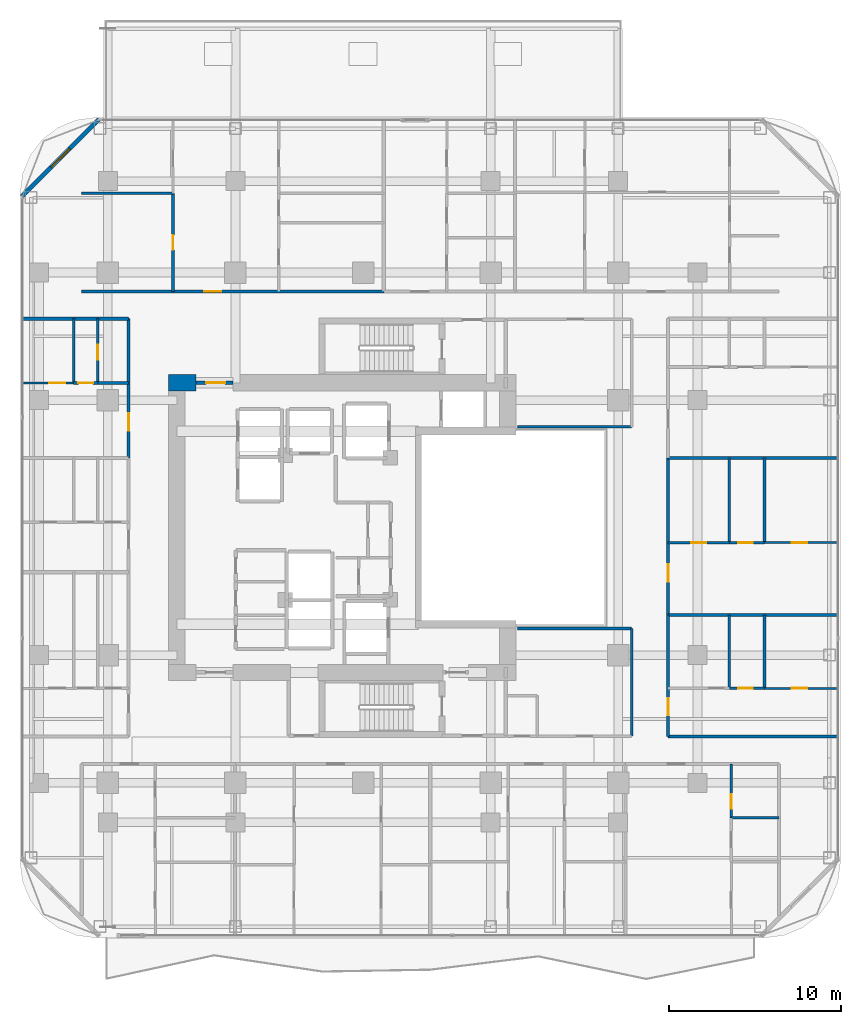
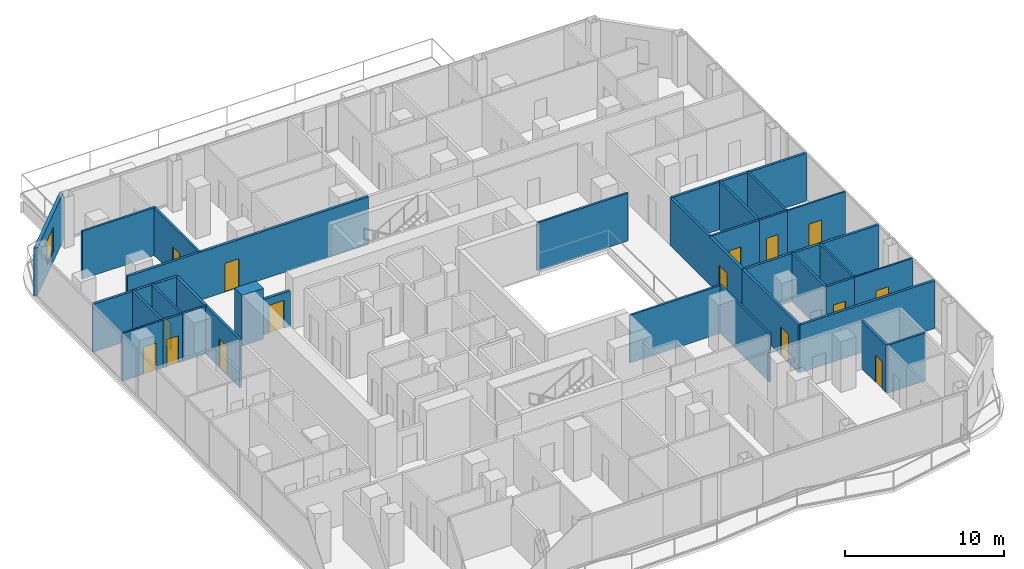
# One storey, part 24 of 29: 32 walls, 15 doors, 1 window, 16 openings.
"""IFC4 building model written with IfcOpenShell, lengths in metres."""

import ifcopenshell
import ifcopenshell.guid

model = None  # the IFC model being written
_history = None  # IfcOwnerHistory: only IFC2X3 demands one
_inside = {}  # id of a spatial element -> (the spatial element, [elements in it])
_under = {}  # id of a project, library or spatial element -> (it, [spatial elements below it])
_declared = {}  # id of a project -> (the project, [libraries it declares])
_typed = {}  # id of a type object -> (the type object, [elements of that type])
_made_of = {}  # id of a material, layer set ... -> (it, [elements and type objects made of it])


def new_model(schema):
    """Start an empty IFC model of exactly this schema.

    Asked for "IFC4X3", IfcOpenShell would pick the latest addendum, in which some entities
    have other attributes; the version numbers below select the first issue.
    IFC2X3 requires an IfcOwnerHistory on every rooted entity: one is made here for all.
    """
    global model, _history
    if schema == "IFC4X3":
        model = ifcopenshell.file(schema_version=(4, 3, 0, 0))
    else:
        model = ifcopenshell.file(schema=schema)
    _inside.clear()
    _under.clear()
    _declared.clear()
    _typed.clear()
    _made_of.clear()
    _history = None
    if model.schema == "IFC2X3":
        org = make("IfcOrganization", Name="unknown")
        user = make(
            "IfcPersonAndOrganization",
            ThePerson=make("IfcPerson", FamilyName="unknown"),
            TheOrganization=org,
        )
        app = make(
            "IfcApplication",
            ApplicationDeveloper=org,
            Version="unknown",
            ApplicationFullName="unknown",
            ApplicationIdentifier="unknown",
        )
        _history = make(
            "IfcOwnerHistory",
            OwningUser=user,
            OwningApplication=app,
            ChangeAction="ADDED",
            CreationDate=0,
        )
    return model


def make(cls, **values):
    """One entity of the class cls with the attributes given. An attribute that is None is left unset."""
    return model.create_entity(
        cls, **{name: value for name, value in values.items() if value is not None}
    )


def rooted(cls, **values):
    """An entity with a GlobalId (a new one), such as an element, a storey or a relation."""
    return make(cls, GlobalId=ifcopenshell.guid.new(), OwnerHistory=_history, **values)


def si_unit(unit_type, name, prefix=None):
    """IfcSIUnit, for example si_unit("LENGTHUNIT", "METRE", prefix="MILLI")."""
    return make("IfcSIUnit", UnitType=unit_type, Prefix=prefix, Name=name)


def assignment(units):
    """IfcUnitAssignment: the units of a project."""
    return None if units is None else make("IfcUnitAssignment", Units=units)


def point(xyz):
    """IfcCartesianPoint."""
    return None if xyz is None else make("IfcCartesianPoint", Coordinates=xyz)


def direction(xyz):
    """IfcDirection."""
    return None if xyz is None else make("IfcDirection", DirectionRatios=xyz)


def frame(location, z_axis=None, x_axis=None):
    """IfcAxis2Placement3D, a coordinate frame: its origin and axes. An axis left out is left unset."""
    return make(
        "IfcAxis2Placement3D",
        Location=point(location),
        Axis=direction(z_axis),
        RefDirection=direction(x_axis),
    )


def frame_2d(location, x_axis=None):
    """IfcAxis2Placement2D, a coordinate frame in the plane: its origin and x axis."""
    return make(
        "IfcAxis2Placement2D", Location=point(location), RefDirection=direction(x_axis)
    )


def origin():
    """The frame at (0, 0, 0) with its axes left unset."""
    return frame((0.0, 0.0, 0.0))


def place(relative_to, where):
    """IfcLocalPlacement: puts the frame where relative to a parent placement (None: the world)."""
    return make(
        "IfcLocalPlacement", PlacementRelTo=relative_to, RelativePlacement=where
    )


def context(
    kind, dimensions, precision=None, world=None, true_north=None, identifier=None
):
    """IfcGeometricRepresentationContext, for example the 3D "Model" context."""
    return make(
        "IfcGeometricRepresentationContext",
        ContextIdentifier=identifier,
        ContextType=kind,
        CoordinateSpaceDimension=dimensions,
        Precision=precision,
        WorldCoordinateSystem=world,
        TrueNorth=true_north,
    )


def subcontext(parent, identifier, kind, view, scale=None):
    """IfcGeometricRepresentationSubContext, for example "Body" below "Model"."""
    return make(
        "IfcGeometricRepresentationSubContext",
        ContextIdentifier=identifier,
        ContextType=kind,
        ParentContext=parent,
        TargetScale=scale,
        TargetView=view,
    )


def project(units=None, contexts=None):
    """IfcProject with its units and contexts."""
    return rooted(
        "IfcProject",
        Name="project",
        RepresentationContexts=contexts,
        UnitsInContext=assignment(units),
    )


def spatial(cls, under=None, at=None, **own):
    """A site, building, storey or space (cls), placed at a placement, below another one or the project."""
    s = rooted(cls, ObjectPlacement=at, **own)
    if under is not None:
        _under.setdefault(under.id(), (under, []))[1].append(s)
    return s


def profile(cls, at=None, kind="AREA", **sizes):
    """A parametric profile (cls). Its sizes go by their IFC names, for example OverallWidth=200.0."""
    return make(cls, ProfileType=kind, Position=at, **sizes)


def rectangle(**sizes):
    """IfcRectangleProfileDef."""
    return profile("IfcRectangleProfileDef", **sizes)


def extrude(swept, where, along, depth):
    """IfcExtrudedAreaSolid: the profile swept, set in the frame where, extruded along a direction by depth."""
    return make(
        "IfcExtrudedAreaSolid",
        SweptArea=swept,
        Position=where,
        ExtrudedDirection=direction(along),
        Depth=depth,
    )


def shape(context_of_items, identifier, shape_type, items):
    """IfcShapeRepresentation: the items that make up one representation, for example the "Body"."""
    return make(
        "IfcShapeRepresentation",
        ContextOfItems=context_of_items,
        RepresentationIdentifier=identifier,
        RepresentationType=shape_type,
        Items=items,
    )


def material(Name=None, Category=None):
    """IfcMaterial."""
    return make("IfcMaterial", Name=Name, Category=Category)


def layer(
    of_material, thickness, ventilated=None, Name=None, Category=None, Priority=None
):
    """IfcMaterialLayer: one layer of a wall or slab, of a material (None: an air gap)."""
    return make(
        "IfcMaterialLayer",
        Material=of_material,
        LayerThickness=thickness,
        IsVentilated=ventilated,
        Name=Name,
        Category=Category,
        Priority=Priority,
    )


def layer_set(layers, Name=None):
    """IfcMaterialLayerSet."""
    return make("IfcMaterialLayerSet", MaterialLayers=layers, LayerSetName=Name)


def made_of(thing, what):
    """Note that an element or type object is made of a material, layer set ...; save() writes the relation."""
    if what is not None:
        _made_of.setdefault(what.id(), (what, []))[1].append(thing)
    return thing


def type_object(cls, material=None, **own):
    """A type object (cls), such as IfcWallType, which elements share."""
    return made_of(rooted(cls, **own), material)


def element(
    cls,
    number,
    at=None,
    inside=None,
    cuts=None,
    type_object=None,
    material=None,
    context=None,
    identifier="Body",
    shape_type=None,
    held_by="IfcProductDefinitionShape",
    body=None,
    shapes=None,
    **own,
):
    """One element of the class cls, such as IfcWall. Its Tag is "e" and its number.

    at: its placement. inside: the storey or other place that contains it. cuts: it is an
    opening in that element (IfcRelVoidsElement). A single representation is given by context,
    identifier, shape_type and body (its items); several are given by shapes. held_by: the class
    of the entity that holds the representations. save() writes the other relations.
    """
    e = rooted(cls, Tag="e%d" % number, ObjectPlacement=at, **own)
    if body is not None:
        shapes = [shape(context, identifier, shape_type, body)]
    if shapes is not None:
        e.Representation = make(held_by, Representations=shapes)
    if inside is not None:
        _inside.setdefault(inside.id(), (inside, []))[1].append(e)
    if cuts is not None:
        rooted(
            "IfcRelVoidsElement", RelatingBuildingElement=cuts, RelatedOpeningElement=e
        )
    if type_object is not None:
        _typed.setdefault(type_object.id(), (type_object, []))[1].append(e)
    return made_of(e, material)


def fill(opening, filler):
    """IfcRelFillsElement: the door or window that sits in an opening."""
    return rooted(
        "IfcRelFillsElement",
        RelatingOpeningElement=opening,
        RelatedBuildingElement=filler,
    )


def aggregate(whole, parts):
    """IfcRelAggregates: a whole, such as a stair, and the parts it consists of."""
    return rooted("IfcRelAggregates", RelatingObject=whole, RelatedObjects=parts)


def save(model, path):
    """Write the relations noted so far, then the file.

    IfcRelAggregates (storeys below a building ...), IfcRelContainedInSpatialStructure (elements
    in a storey), IfcRelDefinesByType, IfcRelAssociatesMaterial and IfcRelDeclares: one each for
    every whole, place, type object, material and project.
    """
    for whole, parts in _under.values():
        aggregate(whole, parts)
    for where, things in _inside.values():
        rooted(
            "IfcRelContainedInSpatialStructure",
            RelatedElements=things,
            RelatingStructure=where,
        )
    for kind, things in _typed.values():
        rooted("IfcRelDefinesByType", RelatedObjects=things, RelatingType=kind)
    for what, things in _made_of.values():
        rooted("IfcRelAssociatesMaterial", RelatedObjects=things, RelatingMaterial=what)
    for by, libraries in _declared.values():
        rooted("IfcRelDeclares", RelatingContext=by, RelatedDefinitions=libraries)
    model.write(path)


model = new_model("IFC4")

# Units and contexts
model_context = context("Model", 3, precision=1e-05, world=origin(), true_north=direction((0.0, 1.0)))
body_context = subcontext(model_context, "Body", "Model", "MODEL_VIEW")
ifc_project = project(units=[si_unit("LENGTHUNIT", "METRE"), si_unit("AREAUNIT", "SQUARE_METRE"), si_unit("VOLUMEUNIT", "CUBIC_METRE"), si_unit("PLANEANGLEUNIT", "RADIAN"), si_unit("MASSUNIT", "GRAM", prefix="KILO")], contexts=[model_context])

# Site, building, storey
site_placement = place(None, origin())
site = spatial("IfcSite", under=ifc_project, at=site_placement, CompositionType="ELEMENT")
building_placement = place(site_placement, origin())
building = spatial("IfcBuilding", under=site, at=building_placement, Name="Khorvyn Point Tower", CompositionType="ELEMENT")
storey_placement = place(building_placement, frame((0.0, 0.0, 136.800048828125)))
storey = spatial("IfcBuildingStorey", under=building, at=storey_placement, Name="L34", CompositionType="ELEMENT", Elevation=136.800048828125)

# Wall, opening, door
ifc_material_1 = material(Name="Double acoustic gypsum on twin steel stud", Category="steel")
ifc_layer_1 = layer(ifc_material_1, 0.179931640625)
ifc_layer_set_1 = layer_set([ifc_layer_1], Name="Acoustic Double-Stud Apartment Demising Wall 180")
wall_type_1 = type_object("IfcWallType", Name="Acoustic Double-Stud Apartment Demising Wall 180", PredefinedType="PARTITIONING", material=ifc_layer_set_1)
wall_1_placement = place(storey_placement, frame((-16.320068359375, 13.699951171875, 0.0), z_axis=(0.0, 0.0, 1.0), x_axis=(1.0, 0.0, 0.0)))
wall_1 = element("IfcWall", 1, at=wall_1_placement, inside=storey, type_object=wall_type_1, Name="Wall", PredefinedType="PARTITIONING", context=body_context, shape_type="SweptSolid", body=[
    extrude(rectangle(XDim=17.524169921875, YDim=0.179931640625, at=frame_2d((8.76220703125, 0.0))), origin(), (0.0, 0.0, 1.0), 3.679931640625),
])
opening_1_placement = place(wall_1_placement, frame((7.1044921875, 0.0, 0.0)))
opening_1 = element("IfcOpeningElement", 2, at=opening_1_placement, cuts=wall_1, Name="Opening ID-AP60", PredefinedType="OPENING", context=body_context, shape_type="SweptSolid", body=[
    extrude(rectangle(XDim=1.0, YDim=2.199951171875, at=frame_2d((0.5, 1.10009765625))), frame((0.0, 0.099853515625, 0.0), z_axis=(0.0, -1.0, 0.0), x_axis=(1.0, 0.0, 0.0)), (0.0, 0.0, 1.0), 0.199951171875),
])
ifc_material_2 = material(Name="Engineered hardwood fire-rated leaf", Category="wood")
door_type_1 = type_object("IfcDoorType", Name="Acoustic Solid-Core Timber Apartment Entrance Door 1000x2200", OperationType="NOTDEFINED", PredefinedType="DOOR", material=ifc_material_2)
door_1_placement = place(opening_1_placement, origin())
door_1 = element("IfcDoor", 3, at=door_1_placement, inside=storey, type_object=door_type_1, Name="Door", OperationType="SINGLE_SWING_RIGHT", OverallHeight=2.199951171875, OverallWidth=1.0, PredefinedType="DOOR", context=body_context, shape_type="SweptSolid", body=[
    extrude(rectangle(XDim=1.0, YDim=2.199951171875, at=frame_2d((0.5, 1.10009765625))), frame((0.0, 0.02490234375, 0.0), z_axis=(0.0, -1.0, 0.0), x_axis=(1.0, 0.0, 0.0)), (0.0, 0.0, 1.0), 0.050048828125),
])
fill(opening_1, door_1)

wall_2_placement = place(storey_placement, frame((-13.60009765625, 4.0400390625, 0.0), z_axis=(0.0, 0.0, 1.0), x_axis=(0.0, 1.0, 0.0)))
wall_2 = element("IfcWall", 4, at=wall_2_placement, inside=storey, type_object=wall_type_1, Name="Wall", PredefinedType="PARTITIONING", context=body_context, shape_type="SweptSolid", body=[
    extrude(rectangle(XDim=8.080078125, YDim=0.179931640625, at=frame_2d((4.0400390625, 0.0))), origin(), (0.0, 0.0, 1.0), 3.679931640625),
])
opening_2_placement = place(wall_2_placement, frame((1.583251953125, 0.0, 0.0)))
opening_2 = element("IfcOpeningElement", 5, at=opening_2_placement, cuts=wall_2, Name="Opening ID-AP60", PredefinedType="OPENING", context=body_context, shape_type="SweptSolid", body=[
    extrude(rectangle(XDim=1.0, YDim=2.199951171875, at=frame_2d((0.5, 1.10009765625))), frame((0.0, 0.099853515625, 0.0), z_axis=(0.0, -1.0, 0.0), x_axis=(1.0, 0.0, 0.0)), (0.0, 0.0, 1.0), 0.199951171875),
])
door_2_placement = place(opening_2_placement, origin())
door_2 = element("IfcDoor", 6, at=door_2_placement, inside=storey, type_object=door_type_1, Name="Door", OperationType="SINGLE_SWING_LEFT", OverallHeight=2.199951171875, OverallWidth=1.0, PredefinedType="DOOR", context=body_context, shape_type="SweptSolid", body=[
    extrude(rectangle(XDim=1.0, YDim=2.199951171875, at=frame_2d((0.5, 1.10009765625))), frame((0.0, 0.02490234375, 0.0), z_axis=(0.0, -1.0, 0.0), x_axis=(1.0, 0.0, 0.0)), (0.0, 0.0, 1.0), 0.050048828125),
])
fill(opening_2, door_2)

wall_3_placement = place(storey_placement, frame((17.699951171875, -12.1201171875, 0.0), z_axis=(0.0, 0.0, 1.0), x_axis=(0.0, 1.0, 0.0)))
wall_3 = element("IfcWall", 7, at=wall_3_placement, inside=storey, type_object=wall_type_1, Name="Wall", PredefinedType="PARTITIONING", context=body_context, shape_type="SweptSolid", body=[
    extrude(rectangle(XDim=7.06201171875, YDim=0.179931640625, at=frame_2d((3.531005859375, 0.0))), origin(), (0.0, 0.0, 1.0), 3.679931640625),
])
opening_3_placement = place(wall_3_placement, frame((1.236572265625, 0.0, 0.0)))
opening_3 = element("IfcOpeningElement", 8, at=opening_3_placement, cuts=wall_3, Name="Opening ID-AP60", PredefinedType="OPENING", context=body_context, shape_type="SweptSolid", body=[
    extrude(rectangle(XDim=1.0, YDim=2.199951171875, at=frame_2d((0.5, 1.10009765625))), frame((0.0, 0.099853515625, 0.0), z_axis=(0.0, -1.0, 0.0), x_axis=(1.0, 0.0, 0.0)), (0.0, 0.0, 1.0), 0.199951171875),
])
door_3_placement = place(opening_3_placement, origin())
door_3 = element("IfcDoor", 9, at=door_3_placement, inside=storey, type_object=door_type_1, Name="Door", OperationType="SINGLE_SWING_LEFT", OverallHeight=2.199951171875, OverallWidth=1.0, PredefinedType="DOOR", context=body_context, shape_type="SweptSolid", body=[
    extrude(rectangle(XDim=1.0, YDim=2.199951171875, at=frame_2d((0.5, 1.10009765625))), frame((0.0, 0.02490234375, 0.0), z_axis=(0.0, -1.0, 0.0), x_axis=(1.0, 0.0, 0.0)), (0.0, 0.0, 1.0), 0.050048828125),
])
fill(opening_3, door_3)

wall_4_placement = place(storey_placement, frame((17.699951171875, -5.05810546875, 0.0), z_axis=(0.0, 0.0, 1.0), x_axis=(0.0, 1.0, 0.0)))
wall_4 = element("IfcWall", 10, at=wall_4_placement, inside=storey, type_object=wall_type_1, Name="Wall", PredefinedType="PARTITIONING", context=body_context, shape_type="SweptSolid", body=[
    extrude(rectangle(XDim=9.09814453125, YDim=0.179931640625, at=frame_2d((4.549072265625, 0.0))), origin(), (0.0, 0.0, 1.0), 3.679931640625),
])
opening_4_placement = place(wall_4_placement, frame((1.927734375, 0.0, 0.0)))
opening_4 = element("IfcOpeningElement", 11, at=opening_4_placement, cuts=wall_4, Name="Opening ID-AP60", PredefinedType="OPENING", context=body_context, shape_type="SweptSolid", body=[
    extrude(rectangle(XDim=1.0, YDim=2.199951171875, at=frame_2d((0.5, 1.10009765625))), frame((0.0, 0.099853515625, 0.0), z_axis=(0.0, -1.0, 0.0), x_axis=(1.0, 0.0, 0.0)), (0.0, 0.0, 1.0), 0.199951171875),
])
door_4_placement = place(opening_4_placement, origin())
door_4 = element("IfcDoor", 12, at=door_4_placement, inside=storey, type_object=door_type_1, Name="Door", OperationType="SINGLE_SWING_LEFT", OverallHeight=2.199951171875, OverallWidth=1.0, PredefinedType="DOOR", context=body_context, shape_type="SweptSolid", body=[
    extrude(rectangle(XDim=1.0, YDim=2.199951171875, at=frame_2d((0.5, 1.10009765625))), frame((0.0, 0.02490234375, 0.0), z_axis=(0.0, -1.0, 0.0), x_axis=(1.0, 0.0, 0.0)), (0.0, 0.0, 1.0), 0.050048828125),
])
fill(opening_4, door_4)

# Walls
wall_5_placement = place(storey_placement, frame((-19.72998046875, 12.1201171875, 0.0), z_axis=(0.0, 0.0, 1.0), x_axis=(1.0, 0.0, 0.0)))
element("IfcWall", 13, at=wall_5_placement, inside=storey, type_object=wall_type_1, Name="Wall", PredefinedType="PARTITIONING", context=body_context, shape_type="SweptSolid", body=[
    extrude(rectangle(XDim=6.1298828125, YDim=0.179931640625, at=frame_2d((3.06494140625, 0.0))), origin(), (0.0, 0.0, 1.0), 3.679931640625),
])
for number, where, z_axis, x_axis, name in (
    (14, (17.699951171875, -5.05810546875, 0.0), (0.0, 0.0, 1.0), (1.0, 0.0, 0.0), "Wall"),
    (15, (17.699951171875, 4.0400390625, 0.0), (0.0, 0.0, 1.0), (1.0, 0.0, 0.0), "Wall"),
    (16, (17.699951171875, -12.1201171875, 0.0), (0.0, 0.0, 1.0), (1.0, 0.0, 0.0), "Wall"),
):
    element("IfcWall", number, at=place(storey_placement, frame(where, z_axis=z_axis, x_axis=x_axis)), inside=storey, type_object=wall_type_1, Name=name, PredefinedType="PARTITIONING", context=body_context, shape_type="SweptSolid", body=[
        extrude(rectangle(XDim=9.830078125, YDim=0.179931640625, at=frame_2d((4.9150390625, 0.0))), origin(), (0.0, 0.0, 1.0), 3.679931640625),
    ])

# Wall, opening, window
ifc_material_3 = material(Name="Pale anodised aluminium rainscreen on steel stud", Category="steel")
ifc_layer_2 = layer(ifc_material_3, 0.239990234375)
ifc_layer_set_2 = layer_set([ifc_layer_2], Name="Anodised Aluminium Insulated Corner Spandrel Wall 240")
wall_type_2 = type_object("IfcWallType", Name="Anodised Aluminium Insulated Corner Spandrel Wall 240", PredefinedType="SOLIDWALL", material=ifc_layer_set_2)
wall_6_placement = place(storey_placement, frame((-19.79248046875, 19.20751953125, 0.0), z_axis=(0.0, 0.0, 1.0), x_axis=(0.707106781187, 0.707106781187, 0.0)))
wall_6 = element("IfcWall", 17, at=wall_6_placement, inside=storey, type_object=wall_type_2, Name="L34 Rounded Corner Wall NW", PredefinedType="SOLIDWALL", context=body_context, shape_type="SweptSolid", body=[
    extrude(rectangle(XDim=6.342529296875, YDim=0.239990234375, at=frame_2d((3.17138671875, 0.0))), origin(), (0.0, 0.0, 1.0), 3.679931640625),
])
opening_5_placement = place(wall_6_placement, frame((2.42138671875, 0.0, 0.800048828125)))
opening_5 = element("IfcOpeningElement", 18, at=opening_5_placement, cuts=wall_6, Name="Opening WN-1518", PredefinedType="OPENING", context=body_context, shape_type="SweptSolid", body=[
    extrude(rectangle(XDim=1.5, YDim=1.85009765625, at=frame_2d((0.75, 0.925048828125))), frame((0.0, 0.1298828125, 0.0), z_axis=(0.0, -1.0, 0.0), x_axis=(1.0, 0.0, 0.0)), (0.0, 0.0, 1.0), 0.260009765625),
])
ifc_material_4 = material(Name="Anodised aluminium 6063-T6 and laminated Low-E glass", Category="aluminium")
window_type = type_object("IfcWindowType", Name="Anodised Aluminium Rounded-Corner Panoramic Window 1500x1850", PartitioningType="SINGLE_PANEL", PredefinedType="WINDOW", material=ifc_material_4)
window_placement = place(opening_5_placement, origin())
window = element("IfcWindow", 19, at=window_placement, inside=storey, type_object=window_type, Name="L34 Corner Panoramic Window NW", OverallHeight=1.85009765625, OverallWidth=1.5, PartitioningType="SINGLE_PANEL", PredefinedType="WINDOW", context=body_context, shape_type="SweptSolid", body=[
    extrude(rectangle(XDim=1.5, YDim=1.85009765625, at=frame_2d((0.75, 0.925048828125))), frame((0.0, 0.030029296875, 0.0), z_axis=(0.0, -1.0, 0.0), x_axis=(1.0, 0.0, 0.0)), (0.0, 0.0, 1.0), 0.06005859375),
])
fill(opening_5, window)

# Wall, opening, door
ifc_material_5 = material(Name="Concrete C40/50", Category="concrete")
ifc_layer_3 = layer(ifc_material_5, 0.199951171875)
ifc_layer_set_3 = layer_set([ifc_layer_3], Name="Concrete C40/50 Fire-Lobby Compartment Wall 200")
wall_type_3 = type_object("IfcWallType", Name="Concrete C40/50 Fire-Lobby Compartment Wall 200", PredefinedType="SOLIDWALL", material=ifc_layer_set_3)
wall_7_placement = place(storey_placement, frame((-9.699951171875, 8.39990234375, 0.0), z_axis=(0.0, 0.0, 1.0), x_axis=(1.0, 0.0, 0.0)))
wall_7 = element("IfcWall", 20, at=wall_7_placement, inside=storey, type_object=wall_type_3, Name="Wall", PredefinedType="SOLIDWALL", context=body_context, shape_type="SweptSolid", body=[
    extrude(rectangle(XDim=2.14990234375, YDim=0.199951171875, at=frame_2d((1.074951171875, 0.0))), origin(), (0.0, 0.0, 1.0), 2.719970703125),
])
opening_6_placement = place(wall_7_placement, frame((0.597900390625, 0.0, 0.0)))
opening_6 = element("IfcOpeningElement", 21, at=opening_6_placement, cuts=wall_7, Name="Opening ID-FL90", PredefinedType="OPENING", context=body_context, shape_type="SweptSolid", body=[
    extrude(rectangle(XDim=1.10009765625, YDim=2.14990234375, at=frame_2d((0.550048828125, 1.074951171875))), frame((0.0, 0.10986328125, 0.0), z_axis=(0.0, -1.0, 0.0), x_axis=(1.0, 0.0, 0.0)), (0.0, 0.0, 1.0), 0.219970703125),
])
ifc_material_6 = material(Name="Galvanised powder-coated steel", Category="steel")
door_type_2 = type_object("IfcDoorType", Name="Fire-Rated Steel Lobby and Stair Door 1100x2150", OperationType="NOTDEFINED", PredefinedType="DOOR", material=ifc_material_6)
door_5_placement = place(opening_6_placement, origin())
door_5 = element("IfcDoor", 22, at=door_5_placement, inside=storey, type_object=door_type_2, Name="Door", OperationType="SINGLE_SWING_RIGHT", OverallHeight=2.14990234375, OverallWidth=1.10009765625, PredefinedType="DOOR", context=body_context, shape_type="SweptSolid", body=[
    extrude(rectangle(XDim=1.10009765625, YDim=2.14990234375, at=frame_2d((0.550048828125, 1.074951171875))), frame((0.0, 0.02490234375, 0.0), z_axis=(0.0, -1.0, 0.0), x_axis=(1.0, 0.0, 0.0)), (0.0, 0.0, 1.0), 0.050048828125),
])
fill(opening_6, door_5)

# Wall
ifc_material_7 = material(Name="Concrete C50/60", Category="concrete")
ifc_layer_4 = layer(ifc_material_7, 0.949951171875)
ifc_layer_set_4 = layer_set([ifc_layer_4], Name="Concrete C50/60 Core Shear Wall 950")
wall_type_4 = type_object("IfcWallType", Name="Concrete C50/60 Core Shear Wall 950", PredefinedType="SHEAR", material=ifc_layer_set_4)
wall_8_placement = place(storey_placement, frame((-11.27490234375, 8.39990234375, 0.0), z_axis=(0.0, 0.0, 1.0), x_axis=(1.0, 0.0, 0.0)))
element("IfcWall", 23, at=wall_8_placement, inside=storey, type_object=wall_type_4, Name="Wall", PredefinedType="SHEAR", context=body_context, shape_type="SweptSolid", body=[
    extrude(rectangle(XDim=1.574951171875, YDim=0.949951171875, at=frame_2d((0.78759765625, 0.0))), origin(), (0.0, 0.0, 1.0), 3.89990234375),
])

# Wall, opening, door
ifc_material_8 = material(Name="Gypsum plasterboard on steel stud", Category="steel")
ifc_layer_5 = layer(ifc_material_8, 0.1201171875)
ifc_layer_set_5 = layer_set([ifc_layer_5], Name="Gypsum Acoustic Stud Room Partition Wall 120")
wall_type_5 = type_object("IfcWallType", Name="Gypsum Acoustic Stud Room Partition Wall 120", PredefinedType="PARTITIONING", material=ifc_layer_set_5)
wall_9_placement = place(storey_placement, frame((-19.72998046875, 8.39404296875, 0.0), z_axis=(0.0, 0.0, 1.0), x_axis=(1.0, 0.0, 0.0)))
wall_9 = element("IfcWall", 24, at=wall_9_placement, inside=storey, type_object=wall_type_5, Name="Wall", PredefinedType="PARTITIONING", context=body_context, shape_type="SweptSolid", body=[
    extrude(rectangle(XDim=2.946044921875, YDim=0.1201171875, at=frame_2d((1.47314453125, 0.0))), origin(), (0.0, 0.0, 1.0), 3.679931640625),
])
opening_7_placement = place(wall_9_placement, frame((1.540771484375, 0.0, 0.0)))
opening_7 = element("IfcOpeningElement", 25, at=opening_7_placement, cuts=wall_9, Name="Opening ID-RM90", PredefinedType="OPENING", context=body_context, shape_type="SweptSolid", body=[
    extrude(rectangle(XDim=0.89990234375, YDim=2.10009765625, at=frame_2d((0.449951171875, 1.050048828125))), frame((0.0, 0.070068359375, 0.0), z_axis=(0.0, -1.0, 0.0), x_axis=(1.0, 0.0, 0.0)), (0.0, 0.0, 1.0), 0.14013671875),
])
ifc_material_9 = material(Name="Engineered oak veneer timber", Category="wood")
door_type_3 = type_object("IfcDoorType", Name="Flush Engineered Timber Room Door 900x2100", OperationType="NOTDEFINED", PredefinedType="DOOR", material=ifc_material_9)
door_6_placement = place(opening_7_placement, origin())
door_6 = element("IfcDoor", 26, at=door_6_placement, inside=storey, type_object=door_type_3, Name="Door", OperationType="SINGLE_SWING_RIGHT", OverallHeight=2.10009765625, OverallWidth=0.89990234375, PredefinedType="DOOR", context=body_context, shape_type="SweptSolid", body=[
    extrude(rectangle(XDim=0.89990234375, YDim=2.10009765625, at=frame_2d((0.449951171875, 1.050048828125))), frame((0.0, 0.02490234375, 0.0), z_axis=(0.0, -1.0, 0.0), x_axis=(1.0, 0.0, 0.0)), (0.0, 0.0, 1.0), 0.050048828125),
])
fill(opening_7, door_6)

wall_10_placement = place(storey_placement, frame((23.2900390625, -9.320068359375, 0.0), z_axis=(0.0, 0.0, 1.0), x_axis=(1.0, 0.0, 0.0)))
wall_10 = element("IfcWall", 27, at=wall_10_placement, inside=storey, type_object=wall_type_5, Name="Wall", PredefinedType="PARTITIONING", context=body_context, shape_type="SweptSolid", body=[
    extrude(rectangle(XDim=4.239990234375, YDim=0.1201171875, at=frame_2d((2.1201171875, 0.0))), origin(), (0.0, 0.0, 1.0), 3.679931640625),
])
opening_8_placement = place(wall_10_placement, frame((1.581298828125, 0.0, 0.0)))
opening_8 = element("IfcOpeningElement", 28, at=opening_8_placement, cuts=wall_10, Name="Opening ID-RM90", PredefinedType="OPENING", context=body_context, shape_type="SweptSolid", body=[
    extrude(rectangle(XDim=0.89990234375, YDim=2.10009765625, at=frame_2d((0.449951171875, 1.050048828125))), frame((0.0, 0.070068359375, 0.0), z_axis=(0.0, -1.0, 0.0), x_axis=(1.0, 0.0, 0.0)), (0.0, 0.0, 1.0), 0.14013671875),
])
door_7_placement = place(opening_8_placement, origin())
door_7 = element("IfcDoor", 29, at=door_7_placement, inside=storey, type_object=door_type_3, Name="Door", OperationType="SINGLE_SWING_RIGHT", OverallHeight=2.10009765625, OverallWidth=0.89990234375, PredefinedType="DOOR", context=body_context, shape_type="SweptSolid", body=[
    extrude(rectangle(XDim=0.89990234375, YDim=2.10009765625, at=frame_2d((0.449951171875, 1.050048828125))), frame((0.0, 0.02490234375, 0.0), z_axis=(0.0, -1.0, 0.0), x_axis=(1.0, 0.0, 0.0)), (0.0, 0.0, 1.0), 0.050048828125),
])
fill(opening_8, door_7)

wall_11_placement = place(storey_placement, frame((23.2900390625, -0.873046875, 0.0), z_axis=(0.0, 0.0, 1.0), x_axis=(1.0, 0.0, 0.0)))
wall_11 = element("IfcWall", 30, at=wall_11_placement, inside=storey, type_object=wall_type_5, Name="Wall", PredefinedType="PARTITIONING", context=body_context, shape_type="SweptSolid", body=[
    extrude(rectangle(XDim=4.239990234375, YDim=0.1201171875, at=frame_2d((2.1201171875, 0.0))), origin(), (0.0, 0.0, 1.0), 3.679931640625),
])
opening_9_placement = place(wall_11_placement, frame((1.581298828125, 0.0, 0.0)))
opening_9 = element("IfcOpeningElement", 31, at=opening_9_placement, cuts=wall_11, Name="Opening ID-RM90", PredefinedType="OPENING", context=body_context, shape_type="SweptSolid", body=[
    extrude(rectangle(XDim=0.89990234375, YDim=2.10009765625, at=frame_2d((0.449951171875, 1.050048828125))), frame((0.0, 0.070068359375, 0.0), z_axis=(0.0, -1.0, 0.0), x_axis=(1.0, 0.0, 0.0)), (0.0, 0.0, 1.0), 0.14013671875),
])
door_8_placement = place(opening_9_placement, origin())
door_8 = element("IfcDoor", 32, at=door_8_placement, inside=storey, type_object=door_type_3, Name="Door", OperationType="SINGLE_SWING_RIGHT", OverallHeight=2.10009765625, OverallWidth=0.89990234375, PredefinedType="DOOR", context=body_context, shape_type="SweptSolid", body=[
    extrude(rectangle(XDim=0.89990234375, YDim=2.10009765625, at=frame_2d((0.449951171875, 1.050048828125))), frame((0.0, 0.02490234375, 0.0), z_axis=(0.0, -1.0, 0.0), x_axis=(1.0, 0.0, 0.0)), (0.0, 0.0, 1.0), 0.050048828125),
])
fill(opening_9, door_8)

ifc_material_10 = material(Name="Moisture-resistant gypsum and cement board", Category="gypsum")
ifc_layer_6 = layer(ifc_material_10, 0.14990234375)
ifc_layer_set_6 = layer_set([ifc_layer_6], Name="Moisture-Resistant Wet-Room Partition Wall 150")
wall_type_6 = type_object("IfcWallType", Name="Moisture-Resistant Wet-Room Partition Wall 150", PredefinedType="PARTITIONING", material=ifc_layer_set_6)
wall_12_placement = place(storey_placement, frame((-11.02392578125, 13.699951171875, 0.0), z_axis=(0.0, 0.0, 1.0), x_axis=(0.0, 1.0, 0.0)))
wall_12 = element("IfcWall", 33, at=wall_12_placement, inside=storey, type_object=wall_type_6, Name="Wall", PredefinedType="PARTITIONING", context=body_context, shape_type="SweptSolid", body=[
    extrude(rectangle(XDim=5.68994140625, YDim=0.14990234375, at=frame_2d((2.844970703125, 0.0))), origin(), (0.0, 0.0, 1.0), 3.679931640625),
])
opening_10_placement = place(wall_12_placement, frame((2.419921875, 0.0, 0.0)))
opening_10 = element("IfcOpeningElement", 34, at=opening_10_placement, cuts=wall_12, Name="Opening ID-WC85", PredefinedType="OPENING", context=body_context, shape_type="SweptSolid", body=[
    extrude(rectangle(XDim=0.85009765625, YDim=2.10009765625, at=frame_2d((0.425048828125, 1.050048828125))), frame((0.0, 0.0849609375, 0.0), z_axis=(0.0, -1.0, 0.0), x_axis=(1.0, 0.0, 0.0)), (0.0, 0.0, 1.0), 0.169921875),
])
ifc_material_11 = material(Name="High-pressure laminate on moisture-resistant core", Category="wood")
door_type_4 = type_object("IfcDoorType", Name="Moisture-Resistant Accessible Washroom Door 850x2100", OperationType="NOTDEFINED", PredefinedType="DOOR", material=ifc_material_11)
door_9_placement = place(opening_10_placement, origin())
door_9 = element("IfcDoor", 35, at=door_9_placement, inside=storey, type_object=door_type_4, Name="Door", OperationType="SINGLE_SWING_LEFT", OverallHeight=2.10009765625, OverallWidth=0.85009765625, PredefinedType="DOOR", context=body_context, shape_type="SweptSolid", body=[
    extrude(rectangle(XDim=0.85009765625, YDim=2.10009765625, at=frame_2d((0.425048828125, 1.050048828125))), frame((0.0, 0.02490234375, 0.0), z_axis=(0.0, -1.0, 0.0), x_axis=(1.0, 0.0, 0.0)), (0.0, 0.0, 1.0), 0.050048828125),
])
fill(opening_10, door_9)

wall_13_placement = place(storey_placement, frame((21.3701171875, -16.8291015625, 0.0), z_axis=(0.0, 0.0, 1.0), x_axis=(0.0, 1.0, 0.0)))
wall_13 = element("IfcWall", 36, at=wall_13_placement, inside=storey, type_object=wall_type_6, Name="Wall", PredefinedType="PARTITIONING", context=body_context, shape_type="SweptSolid", body=[
    extrude(rectangle(XDim=3.129150390625, YDim=0.14990234375, at=frame_2d((1.564453125, 0.0))), origin(), (0.0, 0.0, 1.0), 3.679931640625),
])
opening_11_placement = place(wall_13_placement, frame((0.51611328125, 0.0, 0.0)))
opening_11 = element("IfcOpeningElement", 37, at=opening_11_placement, cuts=wall_13, Name="Opening ID-WC85", PredefinedType="OPENING", context=body_context, shape_type="SweptSolid", body=[
    extrude(rectangle(XDim=0.85009765625, YDim=2.10009765625, at=frame_2d((0.425048828125, 1.050048828125))), frame((0.0, 0.0849609375, 0.0), z_axis=(0.0, -1.0, 0.0), x_axis=(1.0, 0.0, 0.0)), (0.0, 0.0, 1.0), 0.169921875),
])
door_10_placement = place(opening_11_placement, origin())
door_10 = element("IfcDoor", 38, at=door_10_placement, inside=storey, type_object=door_type_4, Name="Door", OperationType="SINGLE_SWING_RIGHT", OverallHeight=2.10009765625, OverallWidth=0.85009765625, PredefinedType="DOOR", context=body_context, shape_type="SweptSolid", body=[
    extrude(rectangle(XDim=0.85009765625, YDim=2.10009765625, at=frame_2d((0.425048828125, 1.050048828125))), frame((0.0, 0.02490234375, 0.0), z_axis=(0.0, -1.0, 0.0), x_axis=(1.0, 0.0, 0.0)), (0.0, 0.0, 1.0), 0.050048828125),
])
fill(opening_11, door_10)

wall_14_placement = place(storey_placement, frame((-16.783935546875, 8.39404296875, 0.0), z_axis=(0.0, 0.0, 1.0), x_axis=(1.0, 0.0, 0.0)))
wall_14 = element("IfcWall", 39, at=wall_14_placement, inside=storey, type_object=wall_type_6, Name="Wall", PredefinedType="PARTITIONING", context=body_context, shape_type="SweptSolid", body=[
    extrude(rectangle(XDim=1.39990234375, YDim=0.14990234375, at=frame_2d((0.699951171875, 0.0))), origin(), (0.0, 0.0, 1.0), 3.679931640625),
])
opening_12_placement = place(wall_14_placement, frame((0.27490234375, 0.0, 0.0)))
opening_12 = element("IfcOpeningElement", 40, at=opening_12_placement, cuts=wall_14, Name="Opening ID-WC85", PredefinedType="OPENING", context=body_context, shape_type="SweptSolid", body=[
    extrude(rectangle(XDim=0.85009765625, YDim=2.10009765625, at=frame_2d((0.425048828125, 1.050048828125))), frame((0.0, 0.0849609375, 0.0), z_axis=(0.0, -1.0, 0.0), x_axis=(1.0, 0.0, 0.0)), (0.0, 0.0, 1.0), 0.169921875),
])
door_11_placement = place(opening_12_placement, origin())
door_11 = element("IfcDoor", 41, at=door_11_placement, inside=storey, type_object=door_type_4, Name="Door", OperationType="SINGLE_SWING_RIGHT", OverallHeight=2.10009765625, OverallWidth=0.85009765625, PredefinedType="DOOR", context=body_context, shape_type="SweptSolid", body=[
    extrude(rectangle(XDim=0.85009765625, YDim=2.10009765625, at=frame_2d((0.425048828125, 1.050048828125))), frame((0.0, 0.02490234375, 0.0), z_axis=(0.0, -1.0, 0.0), x_axis=(1.0, 0.0, 0.0)), (0.0, 0.0, 1.0), 0.050048828125),
])
fill(opening_12, door_11)

# Wall
wall_15_placement = place(storey_placement, frame((-15.384033203125, 8.39404296875, 0.0), z_axis=(0.0, 0.0, 1.0), x_axis=(1.0, 0.0, 0.0)))
element("IfcWall", 42, at=wall_15_placement, inside=storey, type_object=wall_type_6, Name="Wall", PredefinedType="PARTITIONING", context=body_context, shape_type="SweptSolid", body=[
    extrude(rectangle(XDim=1.783935546875, YDim=0.14990234375, at=frame_2d((0.89208984375, 0.0))), origin(), (0.0, 0.0, 1.0), 3.679931640625),
])

# Wall, opening, door
wall_16_placement = place(storey_placement, frame((21.251953125, -9.320068359375, 0.0), z_axis=(0.0, 0.0, 1.0), x_axis=(1.0, 0.0, 0.0)))
wall_16 = element("IfcWall", 43, at=wall_16_placement, inside=storey, type_object=wall_type_6, Name="Wall", PredefinedType="PARTITIONING", context=body_context, shape_type="SweptSolid", body=[
    extrude(rectangle(XDim=2.0380859375, YDim=0.14990234375, at=frame_2d((1.01904296875, 0.0))), origin(), (0.0, 0.0, 1.0), 3.679931640625),
])
opening_13_placement = place(wall_16_placement, frame((0.507080078125, 0.0, 0.0)))
opening_13 = element("IfcOpeningElement", 44, at=opening_13_placement, cuts=wall_16, Name="Opening ID-WC85", PredefinedType="OPENING", context=body_context, shape_type="SweptSolid", body=[
    extrude(rectangle(XDim=0.85009765625, YDim=2.10009765625, at=frame_2d((0.425048828125, 1.050048828125))), frame((0.0, 0.0849609375, 0.0), z_axis=(0.0, -1.0, 0.0), x_axis=(1.0, 0.0, 0.0)), (0.0, 0.0, 1.0), 0.169921875),
])
door_12_placement = place(opening_13_placement, origin())
door_12 = element("IfcDoor", 45, at=door_12_placement, inside=storey, type_object=door_type_4, Name="Door", OperationType="SINGLE_SWING_LEFT", OverallHeight=2.10009765625, OverallWidth=0.85009765625, PredefinedType="DOOR", context=body_context, shape_type="SweptSolid", body=[
    extrude(rectangle(XDim=0.85009765625, YDim=2.10009765625, at=frame_2d((0.425048828125, 1.050048828125))), frame((0.0, 0.02490234375, 0.0), z_axis=(0.0, -1.0, 0.0), x_axis=(1.0, 0.0, 0.0)), (0.0, 0.0, 1.0), 0.050048828125),
])
fill(opening_13, door_12)

wall_17_placement = place(storey_placement, frame((17.699951171875, -0.873046875, 0.0), z_axis=(0.0, 0.0, 1.0), x_axis=(1.0, 0.0, 0.0)))
wall_17 = element("IfcWall", 46, at=wall_17_placement, inside=storey, type_object=wall_type_6, Name="Wall", PredefinedType="PARTITIONING", context=body_context, shape_type="SweptSolid", body=[
    extrude(rectangle(XDim=3.552001953125, YDim=0.14990234375, at=frame_2d((1.77587890625, 0.0))), origin(), (0.0, 0.0, 1.0), 3.679931640625),
])
opening_14_placement = place(wall_17_placement, frame((1.35107421875, 0.0, 0.0)))
opening_14 = element("IfcOpeningElement", 47, at=opening_14_placement, cuts=wall_17, Name="Opening ID-WC85", PredefinedType="OPENING", context=body_context, shape_type="SweptSolid", body=[
    extrude(rectangle(XDim=0.85009765625, YDim=2.10009765625, at=frame_2d((0.425048828125, 1.050048828125))), frame((0.0, 0.0849609375, 0.0), z_axis=(0.0, -1.0, 0.0), x_axis=(1.0, 0.0, 0.0)), (0.0, 0.0, 1.0), 0.169921875),
])
door_13_placement = place(opening_14_placement, origin())
door_13 = element("IfcDoor", 48, at=door_13_placement, inside=storey, type_object=door_type_4, Name="Door", OperationType="SINGLE_SWING_RIGHT", OverallHeight=2.10009765625, OverallWidth=0.85009765625, PredefinedType="DOOR", context=body_context, shape_type="SweptSolid", body=[
    extrude(rectangle(XDim=0.85009765625, YDim=2.10009765625, at=frame_2d((0.425048828125, 1.050048828125))), frame((0.0, 0.02490234375, 0.0), z_axis=(0.0, -1.0, 0.0), x_axis=(1.0, 0.0, 0.0)), (0.0, 0.0, 1.0), 0.050048828125),
])
fill(opening_14, door_13)

wall_18_placement = place(storey_placement, frame((21.251953125, -0.873046875, 0.0), z_axis=(0.0, 0.0, 1.0), x_axis=(1.0, 0.0, 0.0)))
wall_18 = element("IfcWall", 49, at=wall_18_placement, inside=storey, type_object=wall_type_6, Name="Wall", PredefinedType="PARTITIONING", context=body_context, shape_type="SweptSolid", body=[
    extrude(rectangle(XDim=2.0380859375, YDim=0.14990234375, at=frame_2d((1.01904296875, 0.0))), origin(), (0.0, 0.0, 1.0), 3.679931640625),
])
opening_15_placement = place(wall_18_placement, frame((0.507080078125, 0.0, 0.0)))
opening_15 = element("IfcOpeningElement", 50, at=opening_15_placement, cuts=wall_18, Name="Opening ID-WC85", PredefinedType="OPENING", context=body_context, shape_type="SweptSolid", body=[
    extrude(rectangle(XDim=0.85009765625, YDim=2.10009765625, at=frame_2d((0.425048828125, 1.050048828125))), frame((0.0, 0.0849609375, 0.0), z_axis=(0.0, -1.0, 0.0), x_axis=(1.0, 0.0, 0.0)), (0.0, 0.0, 1.0), 0.169921875),
])
door_14_placement = place(opening_15_placement, origin())
door_14 = element("IfcDoor", 51, at=door_14_placement, inside=storey, type_object=door_type_4, Name="Door", OperationType="SINGLE_SWING_LEFT", OverallHeight=2.10009765625, OverallWidth=0.85009765625, PredefinedType="DOOR", context=body_context, shape_type="SweptSolid", body=[
    extrude(rectangle(XDim=0.85009765625, YDim=2.10009765625, at=frame_2d((0.425048828125, 1.050048828125))), frame((0.0, 0.02490234375, 0.0), z_axis=(0.0, -1.0, 0.0), x_axis=(1.0, 0.0, 0.0)), (0.0, 0.0, 1.0), 0.050048828125),
])
fill(opening_15, door_14)

# Walls
wall_19_placement = place(storey_placement, frame((15.580078125, -12.10009765625, 0.0), z_axis=(0.0, 0.0, 1.0), x_axis=(0.0, 1.0, 0.0)))
element("IfcWall", 52, at=wall_19_placement, inside=storey, type_object=wall_type_6, Name="Wall", PredefinedType="PARTITIONING", context=body_context, shape_type="SweptSolid", body=[
    extrude(rectangle(XDim=6.25, YDim=0.14990234375, at=frame_2d((3.125, 0.0))), origin(), (0.0, 0.0, 1.0), 3.679931640625),
])
for number, where, z_axis, x_axis, name in (
    (53, (8.9599609375, -5.85009765625, 0.0), (0.0, 0.0, 1.0), (1.0, 0.0, 0.0), "Wall"),
    (54, (8.9599609375, 5.85009765625, 0.0), (0.0, 0.0, 1.0), (1.0, 0.0, 0.0), "Wall"),
):
    element("IfcWall", number, at=place(storey_placement, frame(where, z_axis=z_axis, x_axis=x_axis)), inside=storey, type_object=wall_type_6, Name=name, PredefinedType="PARTITIONING", context=body_context, shape_type="SweptSolid", body=[
        extrude(rectangle(XDim=6.6201171875, YDim=0.14990234375, at=frame_2d((3.31005859375, 0.0))), origin(), (0.0, 0.0, 1.0), 3.679931640625),
    ])
wall_20_placement = place(storey_placement, frame((-16.320068359375, 19.389892578125, 0.0), z_axis=(0.0, 0.0, 1.0), x_axis=(1.0, 0.0, 0.0)))
element("IfcWall", 55, at=wall_20_placement, inside=storey, type_object=wall_type_6, Name="Wall", PredefinedType="PARTITIONING", context=body_context, shape_type="SweptSolid", body=[
    extrude(rectangle(XDim=5.296142578125, YDim=0.14990234375, at=frame_2d((2.64794921875, 0.0))), origin(), (0.0, 0.0, 1.0), 3.679931640625),
])
wall_21_placement = place(storey_placement, frame((21.3701171875, -16.8291015625, 0.0), z_axis=(0.0, 0.0, 1.0), x_axis=(1.0, 0.0, 0.0)))
element("IfcWall", 56, at=wall_21_placement, inside=storey, type_object=wall_type_6, Name="Wall", PredefinedType="PARTITIONING", context=body_context, shape_type="SweptSolid", body=[
    extrude(rectangle(XDim=2.75, YDim=0.14990234375, at=frame_2d((1.375, 0.0))), origin(), (0.0, 0.0, 1.0), 3.679931640625),
])

# Wall, opening, door
wall_22_placement = place(storey_placement, frame((-15.384033203125, 8.39404296875, 0.0), z_axis=(0.0, 0.0, 1.0), x_axis=(0.0, 1.0, 0.0)))
wall_22 = element("IfcWall", 57, at=wall_22_placement, inside=storey, type_object=wall_type_6, Name="Wall", PredefinedType="PARTITIONING", context=body_context, shape_type="SweptSolid", body=[
    extrude(rectangle(XDim=3.72607421875, YDim=0.14990234375, at=frame_2d((1.863037109375, 0.0))), origin(), (0.0, 0.0, 1.0), 3.679931640625),
])
opening_16_placement = place(wall_22_placement, frame((1.352783203125, 0.0, 0.0)))
opening_16 = element("IfcOpeningElement", 58, at=opening_16_placement, cuts=wall_22, Name="Opening ID-WC85", PredefinedType="OPENING", context=body_context, shape_type="SweptSolid", body=[
    extrude(rectangle(XDim=0.85009765625, YDim=2.10009765625, at=frame_2d((0.425048828125, 1.050048828125))), frame((0.0, 0.0849609375, 0.0), z_axis=(0.0, -1.0, 0.0), x_axis=(1.0, 0.0, 0.0)), (0.0, 0.0, 1.0), 0.169921875),
])
door_15_placement = place(opening_16_placement, origin())
door_15 = element("IfcDoor", 59, at=door_15_placement, inside=storey, type_object=door_type_4, Name="Door", OperationType="SINGLE_SWING_LEFT", OverallHeight=2.10009765625, OverallWidth=0.85009765625, PredefinedType="DOOR", context=body_context, shape_type="SweptSolid", body=[
    extrude(rectangle(XDim=0.85009765625, YDim=2.10009765625, at=frame_2d((0.425048828125, 1.050048828125))), frame((0.0, 0.02490234375, 0.0), z_axis=(0.0, -1.0, 0.0), x_axis=(1.0, 0.0, 0.0)), (0.0, 0.0, 1.0), 0.050048828125),
])
fill(opening_16, door_15)

# Walls
wall_23_placement = place(storey_placement, frame((-16.783935546875, 8.39404296875, 0.0), z_axis=(0.0, 0.0, 1.0), x_axis=(0.0, 1.0, 0.0)))
element("IfcWall", 60, at=wall_23_placement, inside=storey, type_object=wall_type_6, Name="Wall", PredefinedType="PARTITIONING", context=body_context, shape_type="SweptSolid", body=[
    extrude(rectangle(XDim=3.72607421875, YDim=0.14990234375, at=frame_2d((1.863037109375, 0.0))), origin(), (0.0, 0.0, 1.0), 3.679931640625),
])
for number, where, z_axis, x_axis, name in (
    (61, (21.251953125, -9.320068359375, 0.0), (0.0, 0.0, 1.0), (0.0, 1.0, 0.0), "Wall"),
    (62, (23.2900390625, -9.320068359375, 0.0), (0.0, 0.0, 1.0), (0.0, 1.0, 0.0), "Wall"),
):
    element("IfcWall", number, at=place(storey_placement, frame(where, z_axis=z_axis, x_axis=x_axis)), inside=storey, type_object=wall_type_6, Name=name, PredefinedType="PARTITIONING", context=body_context, shape_type="SweptSolid", body=[
        extrude(rectangle(XDim=4.261962890625, YDim=0.14990234375, at=frame_2d((2.130859375, 0.0))), origin(), (0.0, 0.0, 1.0), 3.679931640625),
    ])
for number, where, z_axis, x_axis, name in (
    (63, (21.251953125, -0.873046875, 0.0), (0.0, 0.0, 1.0), (0.0, 1.0, 0.0), "Wall"),
    (64, (23.2900390625, -0.873046875, 0.0), (0.0, 0.0, 1.0), (0.0, 1.0, 0.0), "Wall"),
):
    element("IfcWall", number, at=place(storey_placement, frame(where, z_axis=z_axis, x_axis=x_axis)), inside=storey, type_object=wall_type_6, Name=name, PredefinedType="PARTITIONING", context=body_context, shape_type="SweptSolid", body=[
        extrude(rectangle(XDim=4.9130859375, YDim=0.14990234375, at=frame_2d((2.45654296875, 0.0))), origin(), (0.0, 0.0, 1.0), 3.679931640625),
    ])

save(model, "model.ifc")
